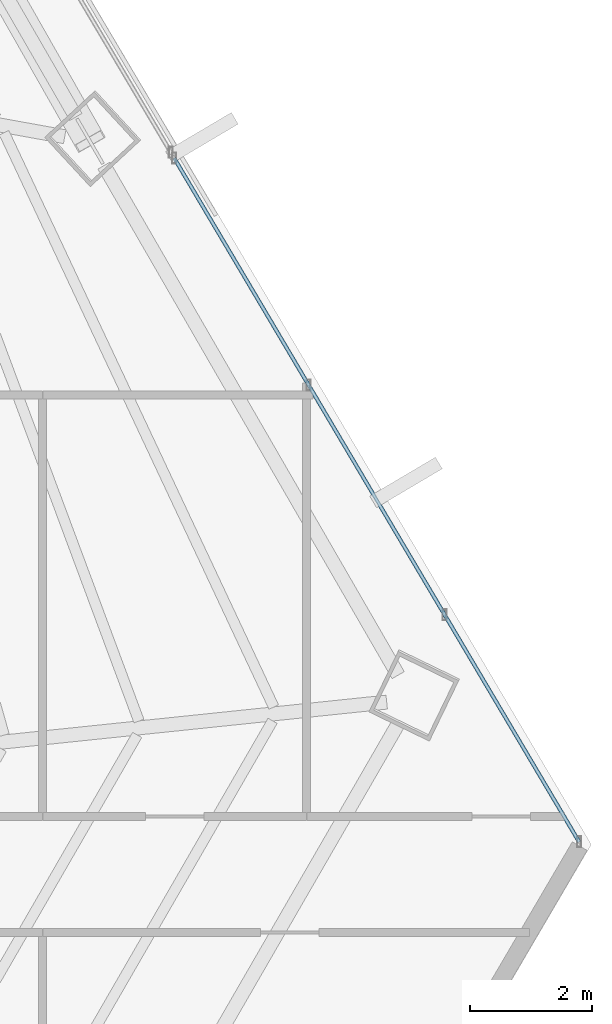
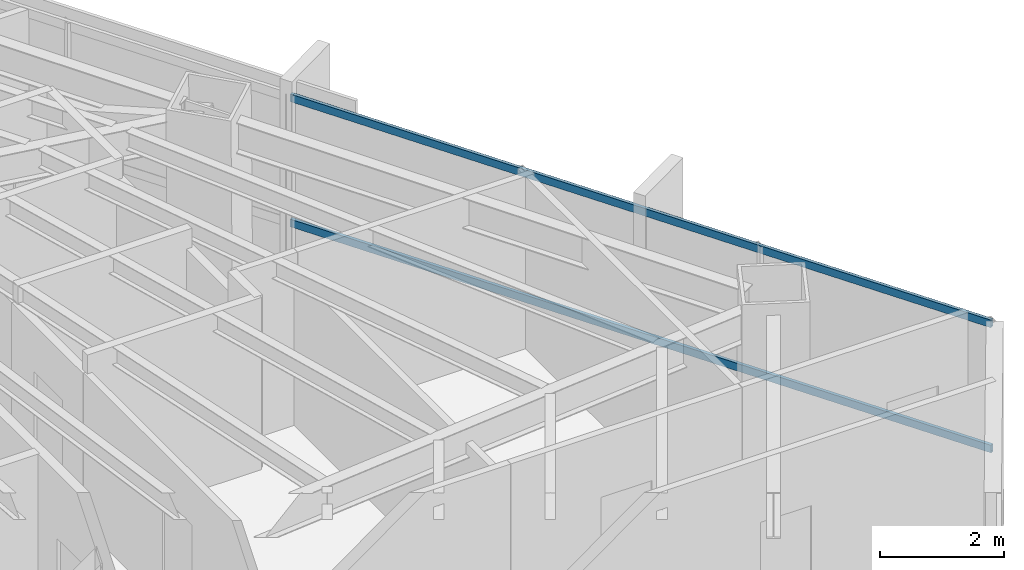
# One storey, part 23 of 36: 2 members, 1 element without a shape of its own.
"""IFC4 building model written with IfcOpenShell, lengths in metres."""

from ifc_helpers import new_model, si_unit, direction, frame, origin, origin_2d, place, context, subcontext, project, spatial, hollow_rectangle, extrude, source, transform, mapped, material, material_profile, profile_set, type_object, type_shapes, element, aggregate, save


model = new_model("IFC4")

# Units and contexts
model_context = context("Model", 3, precision=1e-05, world=origin(), true_north=direction((0.0, 1.0)))
body_context = subcontext(model_context, "Body", "Model", "MODEL_VIEW")
ifc_project = project(units=[si_unit("LENGTHUNIT", "METRE"), si_unit("AREAUNIT", "SQUARE_METRE"), si_unit("VOLUMEUNIT", "CUBIC_METRE"), si_unit("PLANEANGLEUNIT", "RADIAN"), si_unit("MASSUNIT", "GRAM", prefix="KILO")], contexts=[model_context])

# Site, building, storey
site_placement = place(None, origin())
site = spatial("IfcSite", under=ifc_project, at=site_placement, CompositionType="ELEMENT")
building_placement = place(site_placement, origin())
building = spatial("IfcBuilding", under=site, at=building_placement, Name="Caelisora Broadcast Tower", CompositionType="ELEMENT")
storey_placement = place(building_placement, frame((0.0, 0.0, 112.699951171875)))
storey = spatial("IfcBuildingStorey", under=building, at=storey_placement, Name="L29", CompositionType="ELEMENT", Elevation=112.699951171875)

# Curtain wall, members
ifc_material_1 = material(Name="Unitised Aluminium and Low-E Glass Curtain Wall", Category="glass")
curtain_wall_type = type_object("IfcCurtainWallType", Name="CW-Z2", PredefinedType="NOTDEFINED", material=ifc_material_1)
curtain_wall_placement = place(storey_placement, origin())
curtain_wall = element("IfcCurtainWall", 1, at=curtain_wall_placement, inside=storey, type_object=curtain_wall_type, Name="L29 curtain wall CW-Z2", PredefinedType="NOTDEFINED")
ifc_material_2 = material(Name="Aluminium 6063-T6 Anodised Terracotta Bronze", Category="aluminium")
ifc_material_profile = material_profile(ifc_material_2, hollow_rectangle(XDim=0.06005859375, YDim=0.14990234375, WallThickness=0.00341796875, at=origin_2d()), Name="Aluminium 6063-T6 Anodised Terracotta Bronze")
ifc_profile_set = profile_set([ifc_material_profile], Name="Aluminium 6063-T6 Anodised Terracotta Bronze")
member_type = type_object("IfcMemberType", Name="CWT-02", PredefinedType="USERDEFINED", material=ifc_profile_set)
shared_shape = source(origin(), body_context, "Body", "SweptSolid", [
    extrude(hollow_rectangle(XDim=0.06005859375, YDim=0.14990234375, WallThickness=0.00341796875, at=origin_2d()), origin(), (0.0, 0.0, 1.0), 13.010498046875),
])
type_shapes(member_type, [shared_shape])
member_1_placement = place(storey_placement, frame((57.12255859375, 27.876953125, 0.85009765625), z_axis=(0.509506083323, -0.860467054022, 0.0), x_axis=(0.860467054022, 0.509506083323, 0.0)))
member_1 = element("IfcMember", 2, at=member_1_placement, type_object=member_type, Name="L29-CW-B03 transom #1", ObjectType="TRANSOM", PredefinedType="USERDEFINED", context=body_context, shape_type="MappedRepresentation", body=[
    mapped(shared_shape, transform((0.0, 0.0, 0.0), scale=1.0)),
])
member_2_placement = place(storey_placement, frame((57.12255859375, 27.876953125, 3.320068359375), z_axis=(0.509506083323, -0.860467054022, 0.0), x_axis=(0.860467054022, 0.509506083323, 0.0)))
member_2 = element("IfcMember", 3, at=member_2_placement, type_object=member_type, Name="L29-CW-B03 transom #2", ObjectType="TRANSOM", PredefinedType="USERDEFINED", context=body_context, shape_type="MappedRepresentation", body=[
    mapped(shared_shape, transform((0.0, 0.0, 0.0), scale=1.0)),
])
aggregate(curtain_wall, [member_1, member_2])

save(model, "model.ifc")
